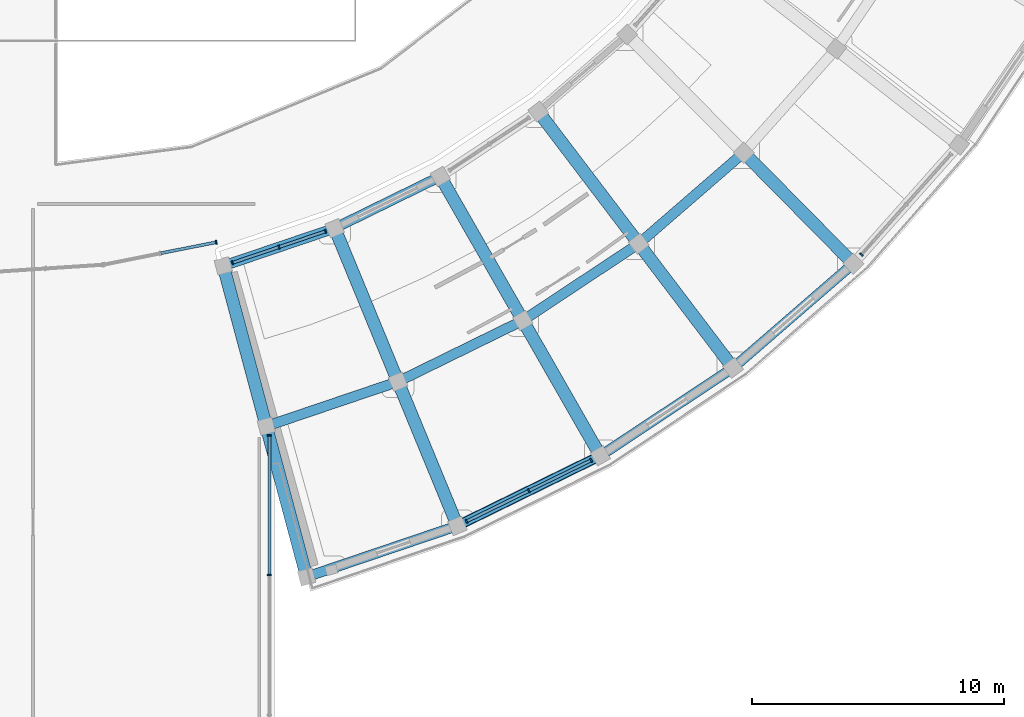
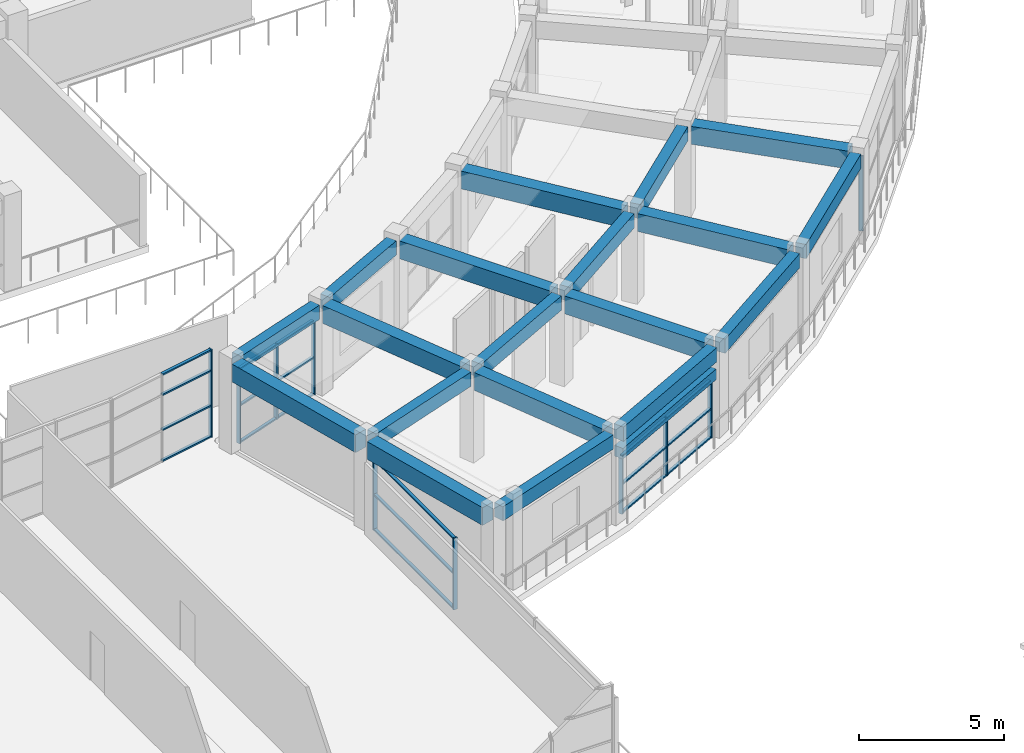
# One storey, part 19 of 83: 29 members, 20 beams, 5 elements without a shape of their own.
"""IFC4 building model written with IfcOpenShell, lengths in metres."""

from ifc_helpers import new_model, si_unit, direction, frame, origin, origin_2d, place, context, subcontext, project, spatial, rectangle, extrude, material, material_profile, profile_set, type_object, element, aggregate, save


model = new_model("IFC4")

# Units and contexts
model_context = context("Model", 3, precision=1e-05, world=origin(), true_north=direction((0.0, 1.0)))
body_context = subcontext(model_context, "Body", "Model", "MODEL_VIEW")
ifc_project = project(units=[si_unit("LENGTHUNIT", "METRE"), si_unit("AREAUNIT", "SQUARE_METRE"), si_unit("VOLUMEUNIT", "CUBIC_METRE"), si_unit("PLANEANGLEUNIT", "RADIAN"), si_unit("MASSUNIT", "GRAM", prefix="KILO")], contexts=[model_context])

# Site, building, storey
site_placement = place(None, origin())
site = spatial("IfcSite", under=ifc_project, at=site_placement, CompositionType="ELEMENT")
building_placement = place(site_placement, origin())
building = spatial("IfcBuilding", under=site, at=building_placement, Name="Saryqyr Civic Hall", CompositionType="ELEMENT")
storey_placement = place(building_placement, frame((0.0, 0.0, 9.14990234375)))
storey = spatial("IfcBuildingStorey", under=building, at=storey_placement, Name="L02", CompositionType="ELEMENT", Elevation=9.14990234375)

# Curtain wall, members
ifc_material_1 = material(Name="Anodised aluminium and triple low-E glass", Category="aluminium")
curtain_wall_type_1 = type_object("IfcCurtainWallType", Name="ENV-CW-STD-21", PredefinedType="NOTDEFINED", material=ifc_material_1)
curtain_wall_1_placement = place(storey_placement, origin())
curtain_wall_1 = element("IfcCurtainWall", 1, at=curtain_wall_1_placement, inside=storey, type_object=curtain_wall_type_1, Name="Curtain wall V5-CWI-L02-00", PredefinedType="NOTDEFINED")
ifc_material_2 = material(Name="Anodised aluminium", Category="aluminium")
ifc_material_profile_1 = material_profile(ifc_material_2, rectangle(XDim=0.06005859375, YDim=0.159912109375, at=origin_2d()), Name="ALU MULLION 60x160")
ifc_profile_set_1 = profile_set([ifc_material_profile_1], Name="Anodised aluminium")
member_type_1 = type_object("IfcMemberType", Name="ENV-CW-MUL-180", PredefinedType="MULLION", material=ifc_profile_set_1)
member_1_placement = place(storey_placement, frame((66.737548828125, 49.158203125, 0.0), z_axis=(0.0, 0.0, 1.0), x_axis=(0.947202392558, 0.320636285428, 0.0)))
member_1 = element("IfcMember", 2, at=member_1_placement, type_object=member_type_1, Name="CW-21 mullion 1", PredefinedType="MULLION", context=body_context, shape_type="SweptSolid", body=[
    extrude(rectangle(XDim=0.06005859375, YDim=0.159912109375, at=origin_2d()), origin(), (0.0, 0.0, 1.0), 3.1650390625),
])
member_2_placement = place(storey_placement, frame((68.58349609375, 49.782958984375, 0.0), z_axis=(0.0, 0.0, 1.0), x_axis=(0.947202392558, 0.320636285428, 0.0)))
member_2 = element("IfcMember", 3, at=member_2_placement, type_object=member_type_1, Name="CW-21 mullion 2", PredefinedType="MULLION", context=body_context, shape_type="SweptSolid", body=[
    extrude(rectangle(XDim=0.06005859375, YDim=0.159912109375, at=origin_2d()), origin(), (0.0, 0.0, 1.0), 3.1650390625),
])
member_3_placement = place(storey_placement, frame((70.42919921875, 50.407958984375, 0.0), z_axis=(0.0, 0.0, 1.0), x_axis=(0.947202392558, 0.320636285428, 0.0)))
member_3 = element("IfcMember", 4, at=member_3_placement, type_object=member_type_1, Name="CW-21 mullion 3", PredefinedType="MULLION", context=body_context, shape_type="SweptSolid", body=[
    extrude(rectangle(XDim=0.06005859375, YDim=0.159912109375, at=origin_2d()), origin(), (0.0, 0.0, 1.0), 3.1650390625),
])

curtain_wall_type_2 = type_object("IfcCurtainWallType", Name="ENV-CW-STD-03", PredefinedType="NOTDEFINED", material=ifc_material_1)
curtain_wall_2_placement = place(storey_placement, origin())
curtain_wall_2 = element("IfcCurtainWall", 5, at=curtain_wall_2_placement, inside=storey, type_object=curtain_wall_type_2, Name="Curtain wall V5-CWO-L02-01", PredefinedType="NOTDEFINED")
member_4_placement = place(storey_placement, frame((80.9921875, 41.303955078125, 0.0), z_axis=(0.0, 0.0, 1.0), x_axis=(-0.89797065456, -0.440055341463, 0.0)))
member_4 = element("IfcMember", 6, at=member_4_placement, type_object=member_type_1, Name="CW-03 mullion 1", PredefinedType="MULLION", context=body_context, shape_type="SweptSolid", body=[
    extrude(rectangle(XDim=0.06005859375, YDim=0.159912109375, at=origin_2d()), origin(), (0.0, 0.0, 1.0), 2.4501953125),
])
member_5_placement = place(storey_placement, frame((78.517822265625, 40.09130859375, 0.0), z_axis=(0.0, 0.0, 1.0), x_axis=(-0.89797065456, -0.440055341463, 0.0)))
member_5 = element("IfcMember", 7, at=member_5_placement, type_object=member_type_1, Name="CW-03 mullion 2", PredefinedType="MULLION", context=body_context, shape_type="SweptSolid", body=[
    extrude(rectangle(XDim=0.06005859375, YDim=0.159912109375, at=origin_2d()), origin(), (0.0, 0.0, 1.0), 2.4501953125),
])
member_6_placement = place(storey_placement, frame((76.04345703125, 38.878662109375, 0.0), z_axis=(0.0, 0.0, 1.0), x_axis=(-0.89797065456, -0.440055341463, 0.0)))
member_6 = element("IfcMember", 8, at=member_6_placement, type_object=member_type_1, Name="CW-03 mullion 3", PredefinedType="MULLION", context=body_context, shape_type="SweptSolid", body=[
    extrude(rectangle(XDim=0.06005859375, YDim=0.159912109375, at=origin_2d()), origin(), (0.0, 0.0, 1.0), 2.4501953125),
])

# Curtain wall, member
curtain_wall_type_3 = type_object("IfcCurtainWallType", Name="ENV-CW-STD-39", PredefinedType="NOTDEFINED", material=ifc_material_1)
curtain_wall_3_placement = place(storey_placement, origin())
curtain_wall_3 = element("IfcCurtainWall", 9, at=curtain_wall_3_placement, inside=storey, type_object=curtain_wall_type_3, Name="Curtain wall V5-CWO-L02-04", PredefinedType="NOTDEFINED")
member_7_placement = place(storey_placement, frame((91.740234375, 49.485107421875, 0.0), z_axis=(0.0, 0.0, 1.0), x_axis=(-0.664934159467, -0.746901977219, 0.0)))
member_7 = element("IfcMember", 10, at=member_7_placement, type_object=member_type_1, Name="CW-39 mullion 3", PredefinedType="MULLION", context=body_context, shape_type="SweptSolid", body=[
    extrude(rectangle(XDim=0.06005859375, YDim=0.159912109375, at=origin_2d()), origin(), (0.0, 0.0, 1.0), 3.1650390625),
])
aggregate(curtain_wall_3, [member_7])

# Curtain wall, members
curtain_wall_type_4 = type_object("IfcCurtainWallType", Name="ENV-CW-STD-78", PredefinedType="NOTDEFINED", material=ifc_material_1)
curtain_wall_4_placement = place(storey_placement, origin())
curtain_wall_4 = element("IfcCurtainWall", 11, at=curtain_wall_4_placement, inside=storey, type_object=curtain_wall_type_4, Name="Curtain wall V2-VESTFLK-SE-L02", PredefinedType="NOTDEFINED")
member_8_placement = place(storey_placement, frame((68.199951171875, 42.288330078125, 0.0), z_axis=(0.0, 0.0, 1.0), x_axis=(0.0, -1.0, 0.0)))
member_8 = element("IfcMember", 12, at=member_8_placement, type_object=member_type_1, Name="CW-78 mullion 1", PredefinedType="MULLION", context=body_context, shape_type="SweptSolid", body=[
    extrude(rectangle(XDim=0.06005859375, YDim=0.159912109375, at=origin_2d()), origin(), (0.0, 0.0, 1.0), 3.01513671875),
])
member_9_placement = place(storey_placement, frame((68.199951171875, 36.7490234375, 0.0), z_axis=(0.0, 0.0, 1.0), x_axis=(0.0, -1.0, 0.0)))
member_9 = element("IfcMember", 13, at=member_9_placement, type_object=member_type_1, Name="CW-78 mullion 2", PredefinedType="MULLION", context=body_context, shape_type="SweptSolid", body=[
    extrude(rectangle(XDim=0.06005859375, YDim=0.159912109375, at=origin_2d()), origin(), (0.0, 0.0, 1.0), 3.01513671875),
])

# Curtain wall, member
curtain_wall_type_5 = type_object("IfcCurtainWallType", Name="ENV-CW-STD-74", PredefinedType="NOTDEFINED", material=ifc_material_1)
curtain_wall_5_placement = place(storey_placement, origin())
curtain_wall_5 = element("IfcCurtainWall", 14, at=curtain_wall_5_placement, inside=storey, type_object=curtain_wall_type_5, Name="Curtain wall V2-PERIM-CW-L02-37", PredefinedType="NOTDEFINED")
member_10_placement = place(storey_placement, frame((66.086181640625, 49.974365234375, 0.0), z_axis=(0.0, 0.0, 1.0), x_axis=(-0.980784679507, -0.195093342902, 0.0)))
member_10 = element("IfcMember", 15, at=member_10_placement, type_object=member_type_1, Name="CW-74 mullion 1", PredefinedType="MULLION", context=body_context, shape_type="SweptSolid", body=[
    extrude(rectangle(XDim=0.06005859375, YDim=0.159912109375, at=origin_2d()), origin(), (0.0, 0.0, 1.0), 3.7001953125),
])

# Member
ifc_material_profile_2 = material_profile(ifc_material_2, rectangle(XDim=0.1201171875, YDim=0.06005859375, at=origin_2d()), Name="ALU TRANSOM 120x60")
ifc_profile_set_2 = profile_set([ifc_material_profile_2], Name="Anodised aluminium")
member_type_2 = type_object("IfcMemberType", Name="ENV-CW-TRN-150", PredefinedType="USERDEFINED", material=ifc_profile_set_2)
member_11_placement = place(storey_placement, frame((66.76611328125, 49.167724609375, 0.030029296875), z_axis=(0.947173081029, 0.320722862568, 0.0), x_axis=(-0.320722862568, 0.947173081029, 0.0)))
member_11 = element("IfcMember", 16, at=member_11_placement, type_object=member_type_2, Name="CW-21 transom 1.1", ObjectType="TRANSOM", PredefinedType="USERDEFINED", context=body_context, shape_type="SweptSolid", body=[
    extrude(rectangle(XDim=0.1201171875, YDim=0.06005859375, at=origin_2d()), origin(), (0.0, 0.0, 1.0), 1.888671875),
])

member_12_placement = place(storey_placement, frame((66.76611328125, 49.167724609375, 1.58203125), z_axis=(0.947173081029, 0.320722862568, 0.0), x_axis=(-0.320722862568, 0.947173081029, 0.0)))
member_12 = element("IfcMember", 17, at=member_12_placement, type_object=member_type_2, Name="CW-21 transom 1.2", ObjectType="TRANSOM", PredefinedType="USERDEFINED", context=body_context, shape_type="SweptSolid", body=[
    extrude(rectangle(XDim=0.1201171875, YDim=0.06005859375, at=origin_2d()), origin(), (0.0, 0.0, 1.0), 1.888671875),
])

member_13_placement = place(storey_placement, frame((66.76611328125, 49.167724609375, 3.135009765625), z_axis=(0.947173081029, 0.320722862568, 0.0), x_axis=(-0.320722862568, 0.947173081029, 0.0)))
member_13 = element("IfcMember", 18, at=member_13_placement, type_object=member_type_2, Name="CW-21 transom 1.3", ObjectType="TRANSOM", PredefinedType="USERDEFINED", context=body_context, shape_type="SweptSolid", body=[
    extrude(rectangle(XDim=0.1201171875, YDim=0.06005859375, at=origin_2d()), origin(), (0.0, 0.0, 1.0), 1.888671875),
])

member_14_placement = place(storey_placement, frame((68.61181640625, 49.792724609375, 0.030029296875), z_axis=(0.947225631474, 0.320567626372, 0.0), x_axis=(-0.320567626372, 0.947225631474, 0.0)))
member_14 = element("IfcMember", 19, at=member_14_placement, type_object=member_type_2, Name="CW-21 transom 2.1", ObjectType="TRANSOM", PredefinedType="USERDEFINED", context=body_context, shape_type="SweptSolid", body=[
    extrude(rectangle(XDim=0.1201171875, YDim=0.06005859375, at=origin_2d()), origin(), (0.0, 0.0, 1.0), 1.888671875),
])

member_15_placement = place(storey_placement, frame((68.61181640625, 49.792724609375, 1.58203125), z_axis=(0.947225631474, 0.320567626372, 0.0), x_axis=(-0.320567626372, 0.947225631474, 0.0)))
member_15 = element("IfcMember", 20, at=member_15_placement, type_object=member_type_2, Name="CW-21 transom 2.2", ObjectType="TRANSOM", PredefinedType="USERDEFINED", context=body_context, shape_type="SweptSolid", body=[
    extrude(rectangle(XDim=0.1201171875, YDim=0.06005859375, at=origin_2d()), origin(), (0.0, 0.0, 1.0), 1.888671875),
])

member_16_placement = place(storey_placement, frame((68.61181640625, 49.792724609375, 3.135009765625), z_axis=(0.947225631474, 0.320567626372, 0.0), x_axis=(-0.320567626372, 0.947225631474, 0.0)))
member_16 = element("IfcMember", 21, at=member_16_placement, type_object=member_type_2, Name="CW-21 transom 2.3", ObjectType="TRANSOM", PredefinedType="USERDEFINED", context=body_context, shape_type="SweptSolid", body=[
    extrude(rectangle(XDim=0.1201171875, YDim=0.06005859375, at=origin_2d()), origin(), (0.0, 0.0, 1.0), 1.888671875),
])

aggregate(curtain_wall_1, [member_1, member_2, member_3, member_11, member_12, member_13, member_14, member_15, member_16])

member_17_placement = place(storey_placement, frame((80.96533203125, 41.290771484375, 0.030029296875), z_axis=(-0.89796703975, -0.440062717715, 0.0), x_axis=(0.440062717715, -0.89796703975, 0.0)))
member_17 = element("IfcMember", 22, at=member_17_placement, type_object=member_type_2, Name="CW-03 transom 1.1", ObjectType="TRANSOM", PredefinedType="USERDEFINED", context=body_context, shape_type="SweptSolid", body=[
    extrude(rectangle(XDim=0.1201171875, YDim=0.06005859375, at=origin_2d()), origin(), (0.0, 0.0, 1.0), 2.69580078125),
])

member_18_placement = place(storey_placement, frame((80.96533203125, 41.290771484375, 1.22509765625), z_axis=(-0.89796703975, -0.440062717715, 0.0), x_axis=(0.440062717715, -0.89796703975, 0.0)))
member_18 = element("IfcMember", 23, at=member_18_placement, type_object=member_type_2, Name="CW-03 transom 1.2", ObjectType="TRANSOM", PredefinedType="USERDEFINED", context=body_context, shape_type="SweptSolid", body=[
    extrude(rectangle(XDim=0.1201171875, YDim=0.06005859375, at=origin_2d()), origin(), (0.0, 0.0, 1.0), 2.69580078125),
])

member_19_placement = place(storey_placement, frame((80.96533203125, 41.290771484375, 2.420166015625), z_axis=(-0.89796703975, -0.440062717715, 0.0), x_axis=(0.440062717715, -0.89796703975, 0.0)))
member_19 = element("IfcMember", 24, at=member_19_placement, type_object=member_type_2, Name="CW-03 transom 1.3", ObjectType="TRANSOM", PredefinedType="USERDEFINED", context=body_context, shape_type="SweptSolid", body=[
    extrude(rectangle(XDim=0.1201171875, YDim=0.06005859375, at=origin_2d()), origin(), (0.0, 0.0, 1.0), 2.69580078125),
])

member_20_placement = place(storey_placement, frame((78.49072265625, 40.078125, 0.030029296875), z_axis=(-0.897949498933, -0.440098508706, 0.0), x_axis=(0.440098508706, -0.897949498933, 0.0)))
member_20 = element("IfcMember", 25, at=member_20_placement, type_object=member_type_2, Name="CW-03 transom 2.1", ObjectType="TRANSOM", PredefinedType="USERDEFINED", context=body_context, shape_type="SweptSolid", body=[
    extrude(rectangle(XDim=0.1201171875, YDim=0.06005859375, at=origin_2d()), origin(), (0.0, 0.0, 1.0), 2.695556640625),
])

member_21_placement = place(storey_placement, frame((78.49072265625, 40.078125, 1.22509765625), z_axis=(-0.897949498933, -0.440098508706, 0.0), x_axis=(0.440098508706, -0.897949498933, 0.0)))
member_21 = element("IfcMember", 26, at=member_21_placement, type_object=member_type_2, Name="CW-03 transom 2.2", ObjectType="TRANSOM", PredefinedType="USERDEFINED", context=body_context, shape_type="SweptSolid", body=[
    extrude(rectangle(XDim=0.1201171875, YDim=0.06005859375, at=origin_2d()), origin(), (0.0, 0.0, 1.0), 2.695556640625),
])

member_22_placement = place(storey_placement, frame((78.49072265625, 40.078125, 2.420166015625), z_axis=(-0.897949498933, -0.440098508706, 0.0), x_axis=(0.440098508706, -0.897949498933, 0.0)))
member_22 = element("IfcMember", 27, at=member_22_placement, type_object=member_type_2, Name="CW-03 transom 2.3", ObjectType="TRANSOM", PredefinedType="USERDEFINED", context=body_context, shape_type="SweptSolid", body=[
    extrude(rectangle(XDim=0.1201171875, YDim=0.06005859375, at=origin_2d()), origin(), (0.0, 0.0, 1.0), 2.695556640625),
])

aggregate(curtain_wall_2, [member_4, member_5, member_6, member_17, member_18, member_19, member_20, member_21, member_22])

member_23_placement = place(storey_placement, frame((68.199951171875, 42.25830078125, 0.030029296875), z_axis=(0.0, -1.0, 0.0), x_axis=(1.0, 0.0, 0.0)))
member_23 = element("IfcMember", 28, at=member_23_placement, type_object=member_type_2, Name="CW-78 transom 1.1", ObjectType="TRANSOM", PredefinedType="USERDEFINED", context=body_context, shape_type="SweptSolid", body=[
    extrude(rectangle(XDim=0.1201171875, YDim=0.06005859375, at=origin_2d()), origin(), (0.0, 0.0, 1.0), 5.479248046875),
])

member_24_placement = place(storey_placement, frame((68.199951171875, 42.25830078125, 1.508056640625), z_axis=(0.0, -1.0, 0.0), x_axis=(1.0, 0.0, 0.0)))
member_24 = element("IfcMember", 29, at=member_24_placement, type_object=member_type_2, Name="CW-78 transom 1.2", ObjectType="TRANSOM", PredefinedType="USERDEFINED", context=body_context, shape_type="SweptSolid", body=[
    extrude(rectangle(XDim=0.1201171875, YDim=0.06005859375, at=origin_2d()), origin(), (0.0, 0.0, 1.0), 5.479248046875),
])

member_25_placement = place(storey_placement, frame((68.199951171875, 42.25830078125, 2.985107421875), z_axis=(0.0, -1.0, 0.0), x_axis=(1.0, 0.0, 0.0)))
member_25 = element("IfcMember", 30, at=member_25_placement, type_object=member_type_2, Name="CW-78 transom 1.3", ObjectType="TRANSOM", PredefinedType="USERDEFINED", context=body_context, shape_type="SweptSolid", body=[
    extrude(rectangle(XDim=0.1201171875, YDim=0.06005859375, at=origin_2d()), origin(), (0.0, 0.0, 1.0), 5.479248046875),
])

aggregate(curtain_wall_4, [member_8, member_9, member_23, member_24, member_25])

member_26_placement = place(storey_placement, frame((66.056640625, 49.968505859375, 0.030029296875), z_axis=(-0.980779555737, -0.195119099651, 0.0), x_axis=(0.195119099651, -0.980779555737, 0.0)))
member_26 = element("IfcMember", 31, at=member_26_placement, type_object=member_type_2, Name="CW-74 transom 1.1", ObjectType="TRANSOM", PredefinedType="USERDEFINED", context=body_context, shape_type="SweptSolid", body=[
    extrude(rectangle(XDim=0.1201171875, YDim=0.06005859375, at=origin_2d()), origin(), (0.0, 0.0, 1.0), 2.21337890625),
])

member_27_placement = place(storey_placement, frame((66.056640625, 49.968505859375, 1.33203125), z_axis=(-0.980779555737, -0.195119099651, 0.0), x_axis=(0.195119099651, -0.980779555737, 0.0)))
member_27 = element("IfcMember", 32, at=member_27_placement, type_object=member_type_2, Name="CW-74 transom 1.2", ObjectType="TRANSOM", PredefinedType="USERDEFINED", context=body_context, shape_type="SweptSolid", body=[
    extrude(rectangle(XDim=0.1201171875, YDim=0.06005859375, at=origin_2d()), origin(), (0.0, 0.0, 1.0), 2.21337890625),
])

member_28_placement = place(storey_placement, frame((66.056640625, 49.968505859375, 2.81201171875), z_axis=(-0.980779555737, -0.195119099651, 0.0), x_axis=(0.195119099651, -0.980779555737, 0.0)))
member_28 = element("IfcMember", 33, at=member_28_placement, type_object=member_type_2, Name="CW-74 transom 1.3", ObjectType="TRANSOM", PredefinedType="USERDEFINED", context=body_context, shape_type="SweptSolid", body=[
    extrude(rectangle(XDim=0.1201171875, YDim=0.06005859375, at=origin_2d()), origin(), (0.0, 0.0, 1.0), 2.21337890625),
])

member_29_placement = place(storey_placement, frame((66.056640625, 49.968505859375, 3.670166015625), z_axis=(-0.980779555737, -0.195119099651, 0.0), x_axis=(0.195119099651, -0.980779555737, 0.0)))
member_29 = element("IfcMember", 34, at=member_29_placement, type_object=member_type_2, Name="CW-74 transom 1.4", ObjectType="TRANSOM", PredefinedType="USERDEFINED", context=body_context, shape_type="SweptSolid", body=[
    extrude(rectangle(XDim=0.1201171875, YDim=0.06005859375, at=origin_2d()), origin(), (0.0, 0.0, 1.0), 2.21337890625),
])

aggregate(curtain_wall_5, [member_10, member_26, member_27, member_28, member_29])

# Beams
ifc_material_3 = material(Name="Concrete C35/45", Category="concrete")
ifc_material_profile_3 = material_profile(ifc_material_3, rectangle(XDim=0.39990234375, YDim=0.60009765625, at=origin_2d()), Name="RC 400x600")
ifc_profile_set_3 = profile_set([ifc_material_profile_3], Name="Concrete C35/45")
beam_type_1 = type_object("IfcBeamType", Name="STR-BM-RC400x600", PredefinedType="BEAM", material=ifc_profile_set_3)
beam_1_placement = place(storey_placement, frame((68.337890625, 42.74658203125, 3.489990234375), z_axis=(0.947191677807, 0.32066793649, 0.0), x_axis=(-0.32066793649, 0.947191677807, 0.0)))
element("IfcBeam", 35, at=beam_1_placement, inside=storey, type_object=beam_type_1, Name="Beam V5-CBM-MID00-L02", PredefinedType="BEAM", context=body_context, shape_type="SweptSolid", body=[
    extrude(rectangle(XDim=0.39990234375, YDim=0.60009765625, at=origin_2d()), origin(), (0.0, 0.0, 1.0), 4.977783203125),
])
for number, where, z_axis, x_axis, name in (
    (36, (73.560302734375, 44.552001953125, 3.489990234375), (0.897969369862, 0.440057962989, 0.0), (-0.440057962989, 0.897969369862, 0.0), "Beam V5-CBM-MID01-L02"),
    (37, (78.50634765625, 47.01513671875, 3.489990234375), (0.833759218515, 0.552128214767, 0.0), (-0.552128214767, 0.833759218515, 0.0), "Beam V5-CBM-MID02-L02"),
):
    element("IfcBeam", number, at=place(storey_placement, frame(where, z_axis=z_axis, x_axis=x_axis)), inside=storey, type_object=beam_type_1, Name=name, PredefinedType="BEAM", context=body_context, shape_type="SweptSolid", body=[
        extrude(rectangle(XDim=0.39990234375, YDim=0.60009765625, at=origin_2d()), origin(), (0.0, 0.0, 1.0), 4.9775390625),
    ])
beam_2_placement = place(storey_placement, frame((83.093505859375, 50.095458984375, 3.489990234375), z_axis=(0.755658334576, 0.654966015443, 0.0), x_axis=(-0.654966015443, 0.755658334576, 0.0)))
element("IfcBeam", 38, at=beam_2_placement, inside=storey, type_object=beam_type_1, Name="Beam V5-CBM-MID03-L02", PredefinedType="BEAM", context=body_context, shape_type="SweptSolid", body=[
    extrude(rectangle(XDim=0.39990234375, YDim=0.60009765625, at=origin_2d()), origin(), (0.0, 0.0, 1.0), 4.977783203125),
])
ifc_material_profile_4 = material_profile(ifc_material_3, rectangle(XDim=0.39990234375, YDim=0.60009765625, at=origin_2d()), Name="RC 400x600")
ifc_profile_set_4 = profile_set([ifc_material_profile_4], Name="Concrete C35/45")
beam_type_2 = type_object("IfcBeamType", Name="STR-BM-RC400x600-EXT", PredefinedType="BEAM", material=ifc_profile_set_4)
beam_3_placement = place(storey_placement, frame((66.629638671875, 49.12158203125, 3.489990234375), z_axis=(0.947199378893, 0.320645188057, 0.0), x_axis=(-0.320645188057, 0.947199378893, 0.0)))
element("IfcBeam", 39, at=beam_3_placement, inside=storey, type_object=beam_type_2, Name="Beam V5-CBM-IN00-L02", PredefinedType="BEAM", context=body_context, shape_type="SweptSolid", body=[
    extrude(rectangle(XDim=0.39990234375, YDim=0.60009765625, at=origin_2d()), origin(), (0.0, 0.0, 1.0), 4.125244140625),
])
beam_4_placement = place(storey_placement, frame((69.942626953125, 36.7578125, 3.489990234375), z_axis=(0.947202743772, 0.320635247892, 0.0), x_axis=(-0.320635247892, 0.947202743772, 0.0)))
element("IfcBeam", 40, at=beam_4_placement, inside=storey, type_object=beam_type_2, Name="Beam V5-CBM-OUT00-L02", PredefinedType="BEAM", context=body_context, shape_type="SweptSolid", body=[
    extrude(rectangle(XDim=0.39990234375, YDim=0.60009765625, at=origin_2d()), origin(), (0.0, 0.0, 1.0), 5.778564453125),
])
beam_5_placement = place(storey_placement, frame((71.044677734375, 50.653564453125, 3.489990234375), z_axis=(0.897961536886, 0.440073946371, 0.0), x_axis=(-0.440073946371, 0.897961536886, 0.0)))
element("IfcBeam", 41, at=beam_5_placement, inside=storey, type_object=beam_type_2, Name="Beam V5-CBM-IN01-L02", PredefinedType="BEAM", context=body_context, shape_type="SweptSolid", body=[
    extrude(rectangle(XDim=0.39990234375, YDim=0.60009765625, at=origin_2d()), origin(), (0.0, 0.0, 1.0), 4.125244140625),
])
for number, where, z_axis, x_axis, name in (
    (42, (75.92333984375, 38.81982421875, 3.489990234375), (0.897964591433, 0.440067713577, 0.0), (-0.440067713577, 0.897964591433, 0.0), "Beam V5-CBM-OUT01-L02"),
    (43, (81.58837890625, 41.635498046875, 3.489990234375), (0.833762314581, 0.552123539422, 0.0), (-0.552123539422, 0.833762314581, 0.0), "Beam V5-CBM-OUT02-L02"),
):
    element("IfcBeam", number, at=place(storey_placement, frame(where, z_axis=z_axis, x_axis=x_axis)), inside=storey, type_object=beam_type_2, Name=name, PredefinedType="BEAM", context=body_context, shape_type="SweptSolid", body=[
        extrude(rectangle(XDim=0.39990234375, YDim=0.60009765625, at=origin_2d()), origin(), (0.0, 0.0, 1.0), 5.778564453125),
    ])
beam_6_placement = place(storey_placement, frame((86.843505859375, 45.157958984375, 3.489990234375), z_axis=(0.755654230233, 0.654970750745, 0.0), x_axis=(-0.654970750745, 0.755654230233, 0.0)))
element("IfcBeam", 44, at=beam_6_placement, inside=storey, type_object=beam_type_2, Name="Beam V5-CBM-OUT03-L02", PredefinedType="BEAM", context=body_context, shape_type="SweptSolid", body=[
    extrude(rectangle(XDim=0.39990234375, YDim=0.60009765625, at=origin_2d()), origin(), (0.0, 0.0, 1.0), 5.7783203125),
])
ifc_material_4 = material(Name="Concrete C40/50", Category="concrete")
ifc_material_profile_5 = material_profile(ifc_material_4, rectangle(XDim=0.5, YDim=0.75, at=origin_2d()), Name="RC 500x750")
ifc_profile_set_5 = profile_set([ifc_material_profile_5], Name="Concrete C40/50")
beam_type_3 = type_object("IfcBeamType", Name="STR-BM-RC500x750", PredefinedType="BEAM", material=ifc_profile_set_5)
beam_7_placement = place(storey_placement, frame((66.4404296875, 48.767822265625, 3.4150390625), z_axis=(0.258832905588, -0.965922112277, 0.0), x_axis=(0.965922112277, 0.258832905588, 0.0)))
element("IfcBeam", 45, at=beam_7_placement, inside=storey, type_object=beam_type_3, Name="Beam V5-RBM-A00-L02", PredefinedType="BEAM", context=body_context, shape_type="SweptSolid", body=[
    extrude(rectangle(XDim=0.5, YDim=0.75, at=origin_2d()), origin(), (0.0, 0.0, 1.0), 6.0498046875),
])
beam_8_placement = place(storey_placement, frame((68.148681640625, 42.392822265625, 3.4150390625), z_axis=(0.25878936227, -0.965933779291, 0.0), x_axis=(0.965933779291, 0.25878936227, 0.0)))
element("IfcBeam", 46, at=beam_8_placement, inside=storey, type_object=beam_type_3, Name="Beam V5-RBM-B00-L02", PredefinedType="BEAM", context=body_context, shape_type="SweptSolid", body=[
    extrude(rectangle(XDim=0.5, YDim=0.75, at=origin_2d()), origin(), (0.0, 0.0, 1.0), 5.64990234375),
])
beam_9_placement = place(storey_placement, frame((70.902587890625, 50.2783203125, 3.4150390625), z_axis=(0.381145552092, -0.924515044832, 0.0), x_axis=(0.924515044832, 0.381145552092, 0.0)))
element("IfcBeam", 47, at=beam_9_placement, inside=storey, type_object=beam_type_3, Name="Beam V5-RBM-A01-L02", PredefinedType="BEAM", context=body_context, shape_type="SweptSolid", body=[
    extrude(rectangle(XDim=0.5, YDim=0.75, at=origin_2d()), origin(), (0.0, 0.0, 1.0), 6.050048828125),
])
beam_10_placement = place(storey_placement, frame((73.418212890625, 44.1767578125, 3.4150390625), z_axis=(0.381114889866, -0.924527685212, 0.0), x_axis=(0.924527685212, 0.381114889866, 0.0)))
element("IfcBeam", 48, at=beam_10_placement, inside=storey, type_object=beam_type_3, Name="Beam V5-RBM-B01-L02", PredefinedType="BEAM", context=body_context, shape_type="SweptSolid", body=[
    extrude(rectangle(XDim=0.5, YDim=0.75, at=origin_2d()), origin(), (0.0, 0.0, 1.0), 5.650146484375),
])
beam_11_placement = place(storey_placement, frame((75.132568359375, 52.351318359375, 3.4150390625), z_axis=(0.497164210685, -0.867656468664, 0.0), x_axis=(0.867656468664, 0.497164210685, 0.0)))
element("IfcBeam", 49, at=beam_11_placement, inside=storey, type_object=beam_type_3, Name="Beam V5-RBM-A02-L02", PredefinedType="BEAM", context=body_context, shape_type="SweptSolid", body=[
    extrude(rectangle(XDim=0.5, YDim=0.75, at=origin_2d()), origin(), (0.0, 0.0, 1.0), 6.050048828125),
])
beam_12_placement = place(storey_placement, frame((78.413818359375, 46.624755859375, 3.4150390625), z_axis=(0.497106570518, -0.867689493741, 0.0), x_axis=(0.867689493741, 0.497106570518, 0.0)))
element("IfcBeam", 50, at=beam_12_placement, inside=storey, type_object=beam_type_3, Name="Beam V5-RBM-B02-L02", PredefinedType="BEAM", context=body_context, shape_type="SweptSolid", body=[
    extrude(rectangle(XDim=0.5, YDim=0.75, at=origin_2d()), origin(), (0.0, 0.0, 1.0), 5.64990234375),
])
beam_13_placement = place(storey_placement, frame((79.060302734375, 54.952392578125, 3.4150390625), z_axis=(0.60481209734, -0.796368210636, 0.0), x_axis=(0.796368210636, 0.60481209734, 0.0)))
element("IfcBeam", 51, at=beam_13_placement, inside=storey, type_object=beam_type_3, Name="Beam V5-RBM-A03-L02", PredefinedType="BEAM", context=body_context, shape_type="SweptSolid", body=[
    extrude(rectangle(XDim=0.5, YDim=0.75, at=origin_2d()), origin(), (0.0, 0.0, 1.0), 6.050048828125),
])
for number, where, z_axis, x_axis, name in (
    (52, (83.052001953125, 49.6962890625, 3.4150390625), (0.604814812056, -0.796366148903, 0.0), (0.796366148903, 0.604814812056, 0.0), "Beam V5-RBM-B03-L02"),
    (53, (87.256103515625, 53.340087890625, 3.4150390625), (0.702381187414, -0.711801002785, 0.0), (0.711801002785, 0.702381187414, 0.0), "Beam V5-RBM-B04-L02"),
):
    element("IfcBeam", number, at=place(storey_placement, frame(where, z_axis=z_axis, x_axis=x_axis)), inside=storey, type_object=beam_type_3, Name=name, PredefinedType="BEAM", context=body_context, shape_type="SweptSolid", body=[
        extrude(rectangle(XDim=0.5, YDim=0.75, at=origin_2d()), origin(), (0.0, 0.0, 1.0), 5.650146484375),
    ])
ifc_material_5 = material(Name="Precast concrete C40/50", Category="concrete")
ifc_material_profile_6 = material_profile(ifc_material_5, rectangle(XDim=0.35009765625, YDim=0.449951171875, at=origin_2d()), Name="RC 350x450")
ifc_profile_set_6 = profile_set([ifc_material_profile_6], Name="Precast concrete C40/50")
beam_type_4 = type_object("IfcBeamType", Name="STR-LIN-RC350x450", PredefinedType="LINTEL", material=ifc_profile_set_6)
beam_14_placement = place(storey_placement, frame((75.92333984375, 38.81982421875, 2.655029296875), z_axis=(0.897964591433, 0.440067713577, 0.0), x_axis=(-0.440067713577, 0.897964591433, 0.0)))
element("IfcBeam", 54, at=beam_14_placement, inside=storey, type_object=beam_type_4, Name="Beam V5-LIN-01-L02", PredefinedType="LINTEL", context=body_context, shape_type="SweptSolid", body=[
    extrude(rectangle(XDim=0.35009765625, YDim=0.449951171875, at=origin_2d()), origin(), (0.0, 0.0, 1.0), 5.778564453125),
])

save(model, "model.ifc")
